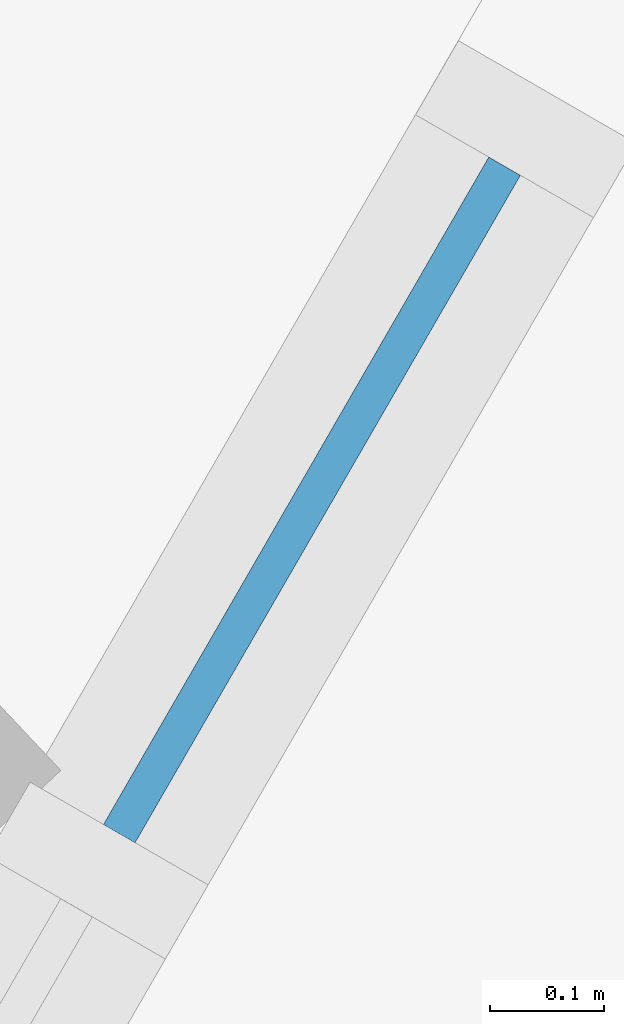
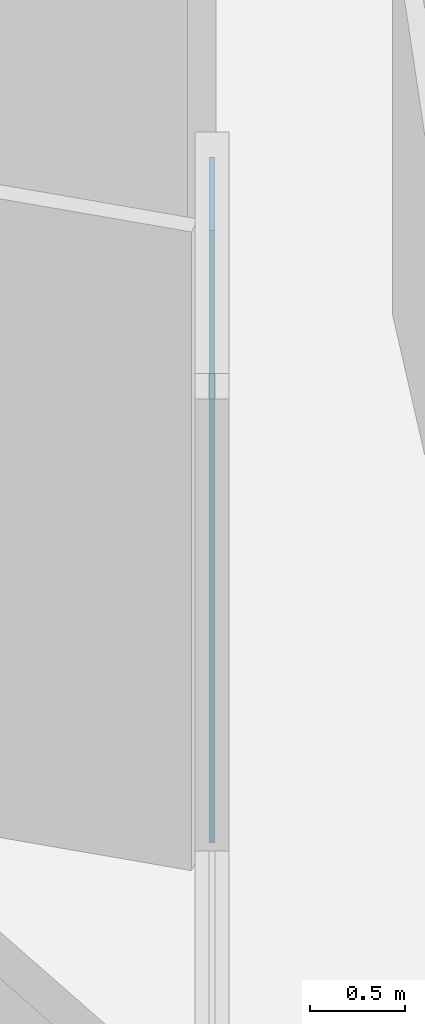
# One storey, part 9 of 28: 1 plate, 1 element without a shape of its own.
"""IFC4 building model written with IfcOpenShell, lengths in metres."""

from ifc_helpers import new_model, si_unit, direction, frame, origin, origin_2d, place, context, subcontext, project, spatial, rectangle, extrude, material, layer, layer_set, type_object, element, aggregate, save


model = new_model("IFC4")

# Units and contexts
model_context = context("Model", 3, precision=1e-05, world=origin(), true_north=direction((0.0, 1.0)))
body_context = subcontext(model_context, "Body", "Model", "MODEL_VIEW")
ifc_project = project(units=[si_unit("LENGTHUNIT", "METRE"), si_unit("AREAUNIT", "SQUARE_METRE"), si_unit("VOLUMEUNIT", "CUBIC_METRE"), si_unit("PLANEANGLEUNIT", "RADIAN"), si_unit("MASSUNIT", "GRAM", prefix="KILO")], contexts=[model_context])

# Site, building, storey
site_placement = place(None, origin())
site = spatial("IfcSite", under=ifc_project, at=site_placement, CompositionType="ELEMENT")
building_placement = place(site_placement, origin())
building = spatial("IfcBuilding", under=site, at=building_placement, Name="Trine Commons Tower", CompositionType="ELEMENT")
storey_placement = place(building_placement, frame((0.0, 0.0, 45.89990234375)))
storey = spatial("IfcBuildingStorey", under=building, at=storey_placement, Name="L10", CompositionType="ELEMENT", Elevation=45.89990234375)

# Curtain wall, plate
ifc_material_1 = material(Name="Sky lounge glazing: anodised aluminium frame with low-emissivity double glazed unit, solar control", Category="aluminium")
ifc_layer_1 = layer(ifc_material_1, 0.179931640625)
ifc_layer_set_1 = layer_set([ifc_layer_1], Name="Sky lounge glazing: anodised aluminium frame with low-emissivity double glazed unit, solar control")
curtain_wall_type = type_object("IfcCurtainWallType", Name="Sky lounge glazing curtain wall CW5", PredefinedType="NOTDEFINED", material=ifc_layer_set_1)
curtain_wall_placement = place(storey_placement, origin())
curtain_wall = element("IfcCurtainWall", 1, at=curtain_wall_placement, inside=storey, type_object=curtain_wall_type, Name="Sky lounge glazing L10 F2.1", PredefinedType="NOTDEFINED")
ifc_material_2 = material(Name="Low-emissivity double glazed unit, solar control")
ifc_layer_2 = layer(ifc_material_2, 0.031982421875)
ifc_layer_set_2 = layer_set([ifc_layer_2], Name="Low-emissivity double glazed unit, solar control")
plate_type = type_object("IfcPlateType", Name="Double glazed unit 32 mm (sky floors)", PredefinedType="CURTAIN_PANEL", material=ifc_layer_set_2)
plate_placement = place(storey_placement, frame((93.412841796875, 48.782470703125, 0.1103515625), z_axis=(0.0, 0.0, 1.0), x_axis=(-0.5, -0.866025403784, 0.0)))
plate = element("IfcPlate", 2, at=plate_placement, type_object=plate_type, Name="CW5 panel 1.1", PredefinedType="CURTAIN_PANEL", context=body_context, shape_type="SweptSolid", body=[
    extrude(rectangle(XDim=0.6748046875, YDim=0.031982421875, at=origin_2d()), origin(), (0.0, 0.0, 1.0), 3.929931640625),
])
aggregate(curtain_wall, [plate])

save(model, "model.ifc")
